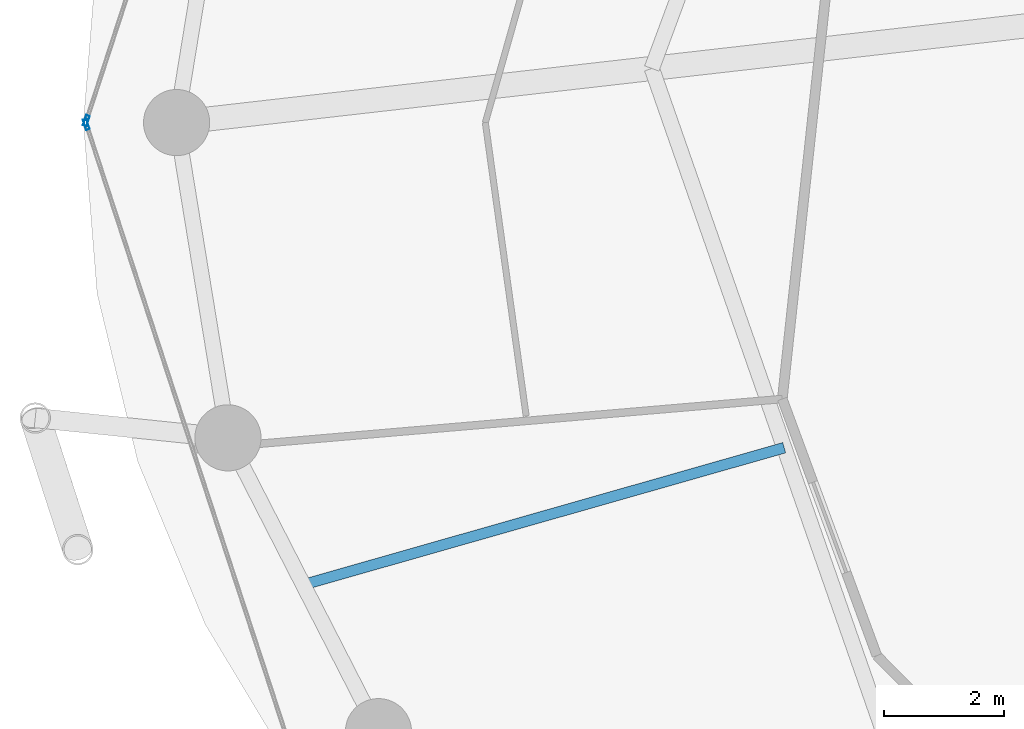
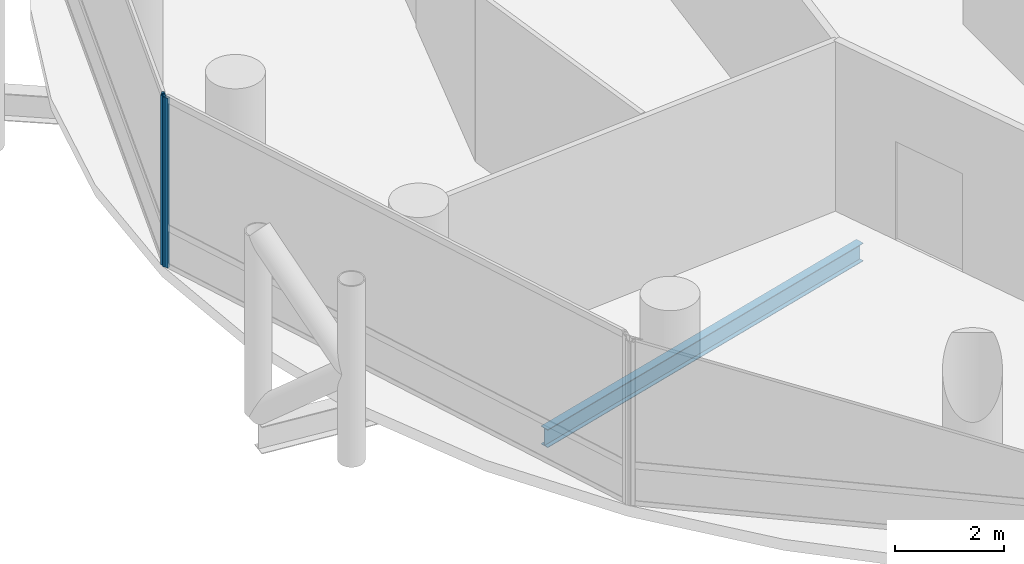
# One storey, part 6 of 24: 2 members, 1 beam, 2 elements without a shape of their own.
"""IFC4 building model written with IfcOpenShell, lengths in metres."""

from ifc_helpers import new_model, si_unit, direction, frame, origin, origin_2d, place, context, subcontext, project, spatial, hollow_rectangle, i_section, extrude, material, layer, layer_set, material_profile, profile_set, type_object, element, aggregate, save


model = new_model("IFC4")

# Units and contexts
model_context = context("Model", 3, precision=1e-05, world=origin(), true_north=direction((0.0, 1.0)))
body_context = subcontext(model_context, "Body", "Model", "MODEL_VIEW")
ifc_project = project(units=[si_unit("LENGTHUNIT", "METRE"), si_unit("AREAUNIT", "SQUARE_METRE"), si_unit("VOLUMEUNIT", "CUBIC_METRE"), si_unit("PLANEANGLEUNIT", "RADIAN"), si_unit("MASSUNIT", "GRAM", prefix="KILO")], contexts=[model_context])

# Site, building, storey
site_placement = place(None, origin())
site = spatial("IfcSite", under=ifc_project, at=site_placement, CompositionType="ELEMENT")
building_placement = place(site_placement, origin())
building = spatial("IfcBuilding", under=site, at=building_placement, Name="Nuhasar Tower", CompositionType="ELEMENT")
storey_placement = place(building_placement, frame((0.0, 0.0, 81.75)))
storey = spatial("IfcBuildingStorey", under=building, at=storey_placement, Name="L19", CompositionType="ELEMENT", Elevation=81.75)

# Beam
ifc_material_1 = material(Name="Steel S355", Category="steel")
ifc_material_profile_1 = material_profile(ifc_material_1, i_section(OverallWidth=0.177978515625, OverallDepth=0.406005859375, WebThickness=0.0078125, FlangeThickness=0.0126953125, at=origin_2d()), Name="W16X40")
ifc_profile_set_1 = profile_set([ifc_material_profile_1], Name="Steel S355")
beam_type = type_object("IfcBeamType", Name="BM-JST-W16X40", PredefinedType="JOIST", material=ifc_profile_set_1)
beam_placement = place(storey_placement, frame((24.051025390625, 21.39501953125, -0.452880859375), z_axis=(-0.961730884496, -0.273995813484, 0.0), x_axis=(0.273995813484, -0.961730884496, 0.0)))
element("IfcBeam", 1, at=beam_placement, inside=storey, type_object=beam_type, Name="L19 Secondary Floor Joist 08", PredefinedType="JOIST", context=body_context, shape_type="SweptSolid", body=[
    extrude(i_section(OverallWidth=0.177978515625, OverallDepth=0.406005859375, WebThickness=0.0078125, FlangeThickness=0.0126953125, at=origin_2d()), origin(), (0.0, 0.0, 1.0), 8.314208984375),
])

# Curtain wall, member
ifc_material_2 = material(Name="Aluminium 6063-T6", Category="aluminium")
ifc_layer = layer(ifc_material_2, 0.199951171875)
ifc_layer_set = layer_set([ifc_layer], Name="Aluminium 6063-T6")
curtain_wall_type = type_object("IfcCurtainWallType", Name="CW-Z1-OFF", PredefinedType="NOTDEFINED", material=ifc_layer_set)
curtain_wall_1_placement = place(storey_placement, origin())
curtain_wall_1 = element("IfcCurtainWall", 2, at=curtain_wall_1_placement, inside=storey, type_object=curtain_wall_type, Name="L19 Unitised Curtain Wall 06", PredefinedType="NOTDEFINED")
ifc_material_profile_2 = material_profile(ifc_material_2, hollow_rectangle(XDim=0.06494140625, YDim=0.179931640625, WallThickness=0.0048828125, at=origin_2d()), Name="CWM-2")
ifc_profile_set_2 = profile_set([ifc_material_profile_2], Name="Aluminium 6063-T6")
member_type = type_object("IfcMemberType", Name="CW-MUL-S2", PredefinedType="MULLION", material=ifc_profile_set_2)
member_1_placement = place(storey_placement, frame((12.4501953125, 26.830810546875, 0.0), z_axis=(0.0, 0.0, 1.0), x_axis=(0.950467534571, -0.310823849997, 0.0)))
member_1 = element("IfcMember", 3, at=member_1_placement, type_object=member_type, Name="CW-Z1 mullion 2", PredefinedType="MULLION", context=body_context, shape_type="SweptSolid", body=[
    extrude(hollow_rectangle(XDim=0.06494140625, YDim=0.179931640625, WallThickness=0.0048828125, at=origin_2d()), origin(), (0.0, 0.0, 1.0), 3.800048828125),
])
aggregate(curtain_wall_1, [member_1])

curtain_wall_2_placement = place(storey_placement, origin())
curtain_wall_2 = element("IfcCurtainWall", 4, at=curtain_wall_2_placement, inside=storey, type_object=curtain_wall_type, Name="L19 Unitised Curtain Wall 07", PredefinedType="NOTDEFINED")
member_2_placement = place(storey_placement, frame((12.4501953125, 26.76904296875, 0.0), z_axis=(0.0, 0.0, 1.0), x_axis=(0.950467534571, 0.310823849997, 0.0)))
member_2 = element("IfcMember", 5, at=member_2_placement, type_object=member_type, Name="CW-Z1 mullion 1", PredefinedType="MULLION", context=body_context, shape_type="SweptSolid", body=[
    extrude(hollow_rectangle(XDim=0.06494140625, YDim=0.179931640625, WallThickness=0.0048828125, at=origin_2d()), origin(), (0.0, 0.0, 1.0), 3.800048828125),
])
aggregate(curtain_wall_2, [member_2])

save(model, "model.ifc")
